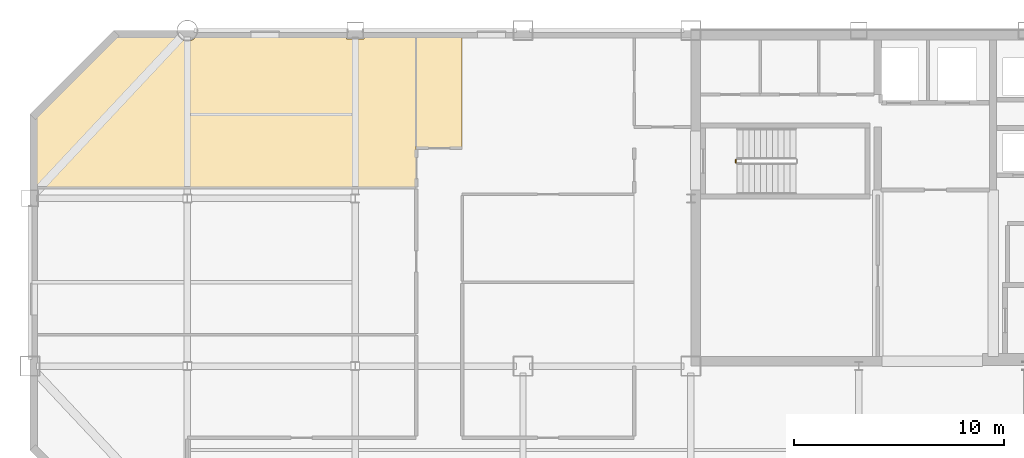
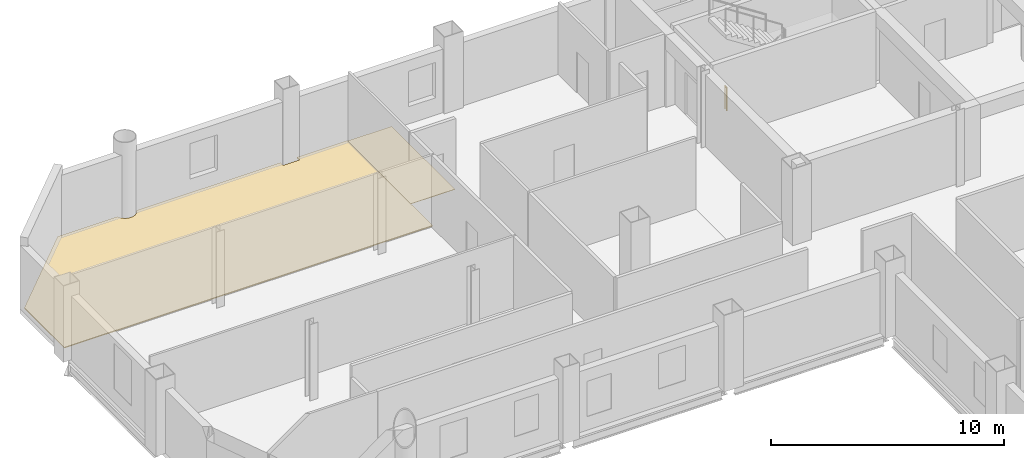
# One storey, part 9 of 10: 2 coverings, 1 railing.
"""IFC4 building model written with IfcOpenShell, lengths in metres."""

from ifc_helpers import new_model, si_unit, direction, frame, origin, origin_2d, place, context, subcontext, project, spatial, polyline, circle, outline, extrude, material, layer, layer_set, type_object, element, save


model = new_model("IFC4")

# Units and contexts
model_context = context("Model", 3, precision=1e-05, world=origin(), true_north=direction((0.0, 1.0)))
body_context = subcontext(model_context, "Body", "Model", "MODEL_VIEW")
ifc_project = project(units=[si_unit("LENGTHUNIT", "METRE"), si_unit("AREAUNIT", "SQUARE_METRE"), si_unit("VOLUMEUNIT", "CUBIC_METRE"), si_unit("PLANEANGLEUNIT", "RADIAN"), si_unit("MASSUNIT", "GRAM", prefix="KILO")], contexts=[model_context])

# Site, building, storey
site_placement = place(None, origin())
site = spatial("IfcSite", under=ifc_project, at=site_placement, CompositionType="ELEMENT")
building_placement = place(site_placement, origin())
building = spatial("IfcBuilding", under=site, at=building_placement, Name="Qianrong Seaharbour Tower", CompositionType="ELEMENT")
storey_placement = place(building_placement, frame((0.0, 0.0, 253.800048828125)))
storey = spatial("IfcBuildingStorey", under=building, at=storey_placement, Name="L61", CompositionType="ELEMENT", Elevation=253.800048828125)

# Coverings
ifc_material_1 = material(Name="Acoustic modular carpet tile flooring")
ifc_layer_1 = layer(ifc_material_1, 0.02001953125)
ifc_layer_set_1 = layer_set([ifc_layer_1], Name="Acoustic modular carpet tile flooring")
covering_type_1 = type_object("IfcCoveringType", Name="COV-FLOOR-CARPET-20", PredefinedType="FLOORING", material=ifc_layer_set_1)
covering_1_placement = place(storey_placement, origin())
element("IfcCovering", 1, at=covering_1_placement, inside=storey, type_object=covering_type_1, Name="L61 Wellness Exercise Hall Finish Flooring", PredefinedType="FLOORING", context=body_context, shape_type="SweptSolid", body=[
    extrude(outline(polyline([(29.60009765625, 46.39990234375), (27.39990234375, 46.39990234375), (27.39990234375, 51.824951171875), (29.60009765625, 51.824951171875), (29.60009765625, 46.39990234375)])), origin(), (0.0, 0.0, 1.0), 0.02001953125),
])
ifc_material_2 = material(Name="Calcium-sulphate raised access floor tile")
ifc_layer_2 = layer(ifc_material_2, 0.044921875)
ifc_layer_set_2 = layer_set([ifc_layer_2], Name="Calcium-sulphate raised access floor tile")
covering_type_2 = type_object("IfcCoveringType", Name="COV-FLOOR-RAISED-45", PredefinedType="FLOORING", material=ifc_layer_set_2)
covering_2_placement = place(storey_placement, origin())
element("IfcCovering", 2, at=covering_2_placement, inside=storey, type_object=covering_type_2, Name="L61 Case Coordinator Office 3 Finish Flooring", PredefinedType="FLOORING", context=body_context, shape_type="SweptSolid", body=[
    extrude(outline(polyline([(9.175048828125, 47.927490234375), (13.072509765625, 51.824951171875), (16.022705078125, 51.824951171875), (16.02880859375, 51.8046875), (16.075927734375, 51.716796875), (16.139404296875, 51.639404296875), (16.216796875, 51.575927734375), (16.3046875, 51.52880859375), (16.400390625, 51.499755859375), (16.5, 51.489990234375), (16.599609375, 51.499755859375), (16.6953125, 51.52880859375), (16.783203125, 51.575927734375), (16.860595703125, 51.639404296875), (16.924072265625, 51.716796875), (16.97119140625, 51.8046875), (16.977294921875, 51.824951171875), (24.090087890625, 51.824951171875), (24.090087890625, 51.590087890625), (24.909912109375, 51.590087890625), (24.909912109375, 51.824951171875), (27.39990234375, 51.824951171875), (27.39990234375, 44.5), (9.175048828125, 44.5), (9.175048828125, 47.927490234375)])), origin(), (0.0, 0.0, 1.0), 0.044921875),
])

# Railing
ifc_material_3 = material(Name="Galvanized painted steel SN400B stair guard", Category="steel")
railing_type = type_object("IfcRailingType", Name="RAIL-STAIR-GUARD-1220", PredefinedType="GUARDRAIL", material=ifc_material_3)
railing_placement = place(storey_placement, frame((42.64990234375, 45.699951171875, 0.0)))
element("IfcRailing", 3, at=railing_placement, inside=storey, type_object=railing_type, Name="L61 ST-1 stair guard 4", PredefinedType="GUARDRAIL", context=body_context, shape_type="SweptSolid", body=[
    extrude(circle(Radius=0.02392578125, at=origin_2d()), frame((0.0, 0.0, 1.19580078125), z_axis=(0.0, 1.0, 0.0), x_axis=(-1.0, 0.0, 0.0)), (0.0, 0.0, 1.0), 0.150146484375),
    extrude(circle(Radius=0.02099609375, at=origin_2d()), origin(), (0.0, 0.0, 1.0), 1.171875),
    extrude(circle(Radius=0.02099609375, at=origin_2d()), frame((0.0, 0.150146484375, 0.0)), (0.0, 0.0, 1.0), 1.171875),
])

save(model, "model.ifc")
